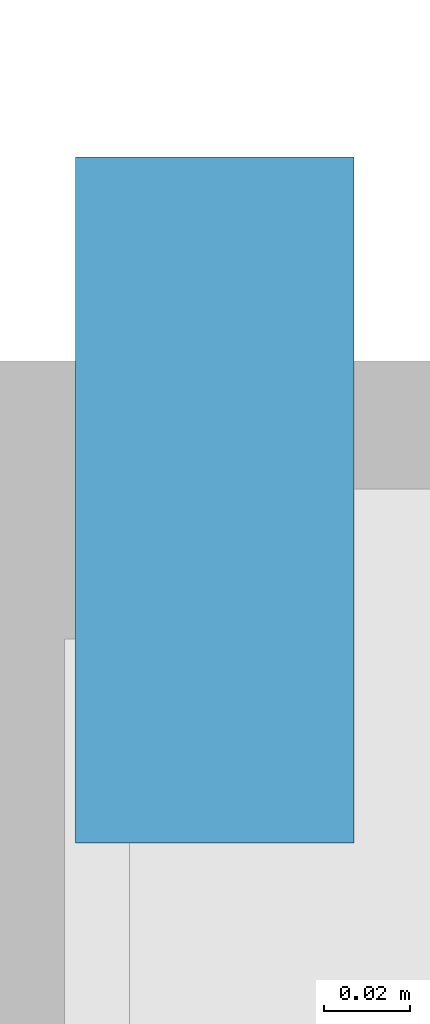
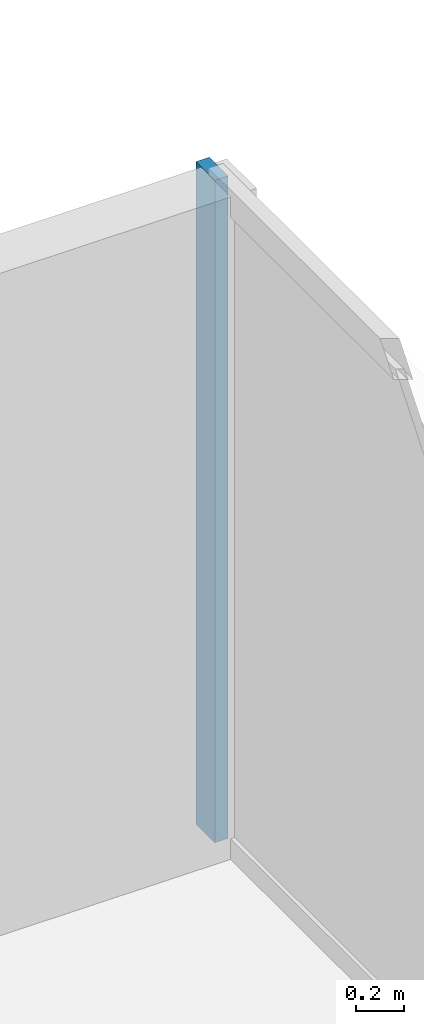
# One storey, part 6 of 14: 1 member, 1 element without a shape of its own.
"""IFC4 building model written with IfcOpenShell, lengths in metres."""

from ifc_helpers import new_model, si_unit, direction, frame, origin, origin_2d, place, context, subcontext, project, spatial, rectangle, extrude, material, layer, layer_set, material_profile, profile_set, type_object, element, aggregate, save


model = new_model("IFC4")

# Units and contexts
model_context = context("Model", 3, precision=1e-05, world=origin(), true_north=direction((0.0, 1.0)))
body_context = subcontext(model_context, "Body", "Model", "MODEL_VIEW")
ifc_project = project(units=[si_unit("LENGTHUNIT", "METRE"), si_unit("AREAUNIT", "SQUARE_METRE"), si_unit("VOLUMEUNIT", "CUBIC_METRE"), si_unit("PLANEANGLEUNIT", "RADIAN"), si_unit("MASSUNIT", "GRAM", prefix="KILO")], contexts=[model_context])

# Site, building, storey
site_placement = place(None, origin())
site = spatial("IfcSite", under=ifc_project, at=site_placement, CompositionType="ELEMENT")
building_placement = place(site_placement, origin())
building = spatial("IfcBuilding", under=site, at=building_placement, Name="Kinhvarn Gate Tower", CompositionType="ELEMENT")
storey_placement = place(building_placement, frame((0.0, 0.0, 284.75)))
storey = spatial("IfcBuildingStorey", under=building, at=storey_placement, Name="L76", CompositionType="ELEMENT", Elevation=284.75)

# Curtain wall, member
ifc_material = material(Name="Anodised aluminium AW-6063", Category="aluminium")
ifc_layer = layer(ifc_material, 0.179931640625)
ifc_layer_set = layer_set([ifc_layer], Name="Anodised aluminium AW-6063")
curtain_wall_type = type_object("IfcCurtainWallType", Name="CW-SYS-3", PredefinedType="NOTDEFINED", material=ifc_layer_set)
curtain_wall_placement = place(storey_placement, origin())
curtain_wall = element("IfcCurtainWall", 1, at=curtain_wall_placement, inside=storey, type_object=curtain_wall_type, Name="Curtain Wall CW3 (L76)", PredefinedType="NOTDEFINED")
ifc_material_profile = material_profile(ifc_material, rectangle(XDim=0.06494140625, YDim=0.159912109375, at=origin_2d()), Name="ALU 65x160")
ifc_profile_set = profile_set([ifc_material_profile], Name="Anodised aluminium AW-6063")
member_type = type_object("IfcMemberType", Name="CW-MUL-160", PredefinedType="MULLION", material=ifc_profile_set)
member_placement = place(storey_placement, frame((44.409912109375, 39.367431640625, 0.0), z_axis=(0.0, 0.0, 1.0), x_axis=(-1.0, 0.0, 0.0)))
member = element("IfcMember", 2, at=member_placement, type_object=member_type, Name="CW3 mullion 7", PredefinedType="MULLION", context=body_context, shape_type="SweptSolid", body=[
    extrude(rectangle(XDim=0.06494140625, YDim=0.159912109375, at=origin_2d()), origin(), (0.0, 0.0, 1.0), 3.389892578125),
])
aggregate(curtain_wall, [member])

save(model, "model.ifc")
